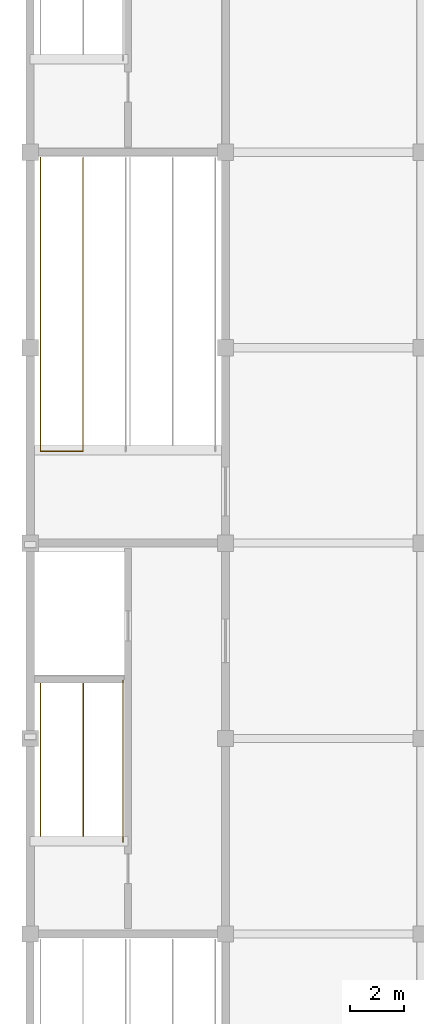
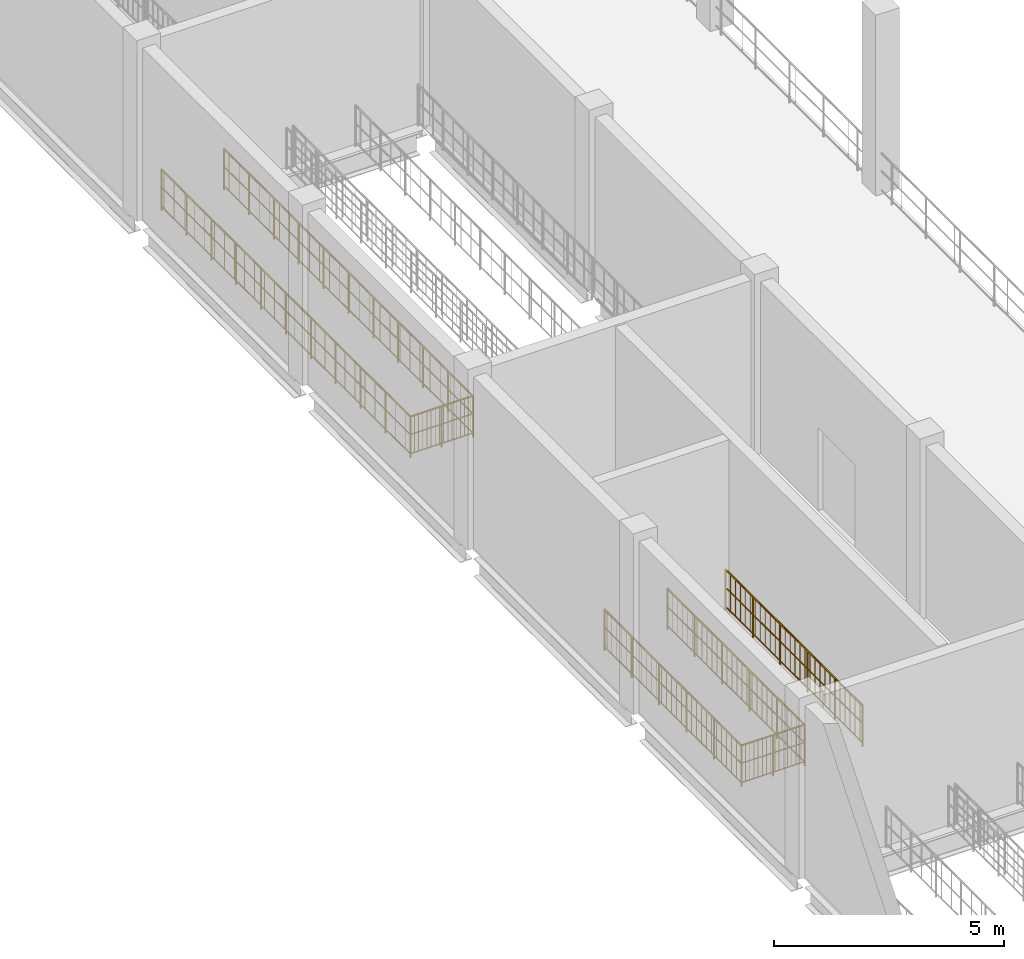
# One storey, part 106 of 120: 3 railings.
"""IFC4 building model written with IfcOpenShell, lengths in metres."""

from ifc_helpers import new_model, si_unit, direction, frame, origin, origin_2d, place, context, subcontext, project, spatial, circle, extrude, material, type_object, element, save


model = new_model("IFC4")

# Units and contexts
model_context = context("Model", 3, precision=1e-05, world=origin(), true_north=direction((0.0, 1.0)))
body_context = subcontext(model_context, "Body", "Model", "MODEL_VIEW")
ifc_project = project(units=[si_unit("LENGTHUNIT", "METRE"), si_unit("AREAUNIT", "SQUARE_METRE"), si_unit("VOLUMEUNIT", "CUBIC_METRE"), si_unit("PLANEANGLEUNIT", "RADIAN"), si_unit("MASSUNIT", "GRAM", prefix="KILO")], contexts=[model_context])

# Site, building, storey
site_placement = place(None, origin())
site = spatial("IfcSite", under=ifc_project, at=site_placement, CompositionType="ELEMENT")
building_placement = place(site_placement, origin())
building = spatial("IfcBuilding", under=site, at=building_placement, Name="Vesperath Aquatics Centre", CompositionType="ELEMENT")
storey_placement = place(building_placement, frame((0.0, 0.0, 10.199951171875)))
storey = spatial("IfcBuildingStorey", under=building, at=storey_placement, Name="L02", CompositionType="ELEMENT", Elevation=10.199951171875)

# Railings
ifc_material = material(Name="Powder-coated galvanized steel safety guard", Category="steel")
railing_type = type_object("IfcRailingType", Name="RL-GRD01", PredefinedType="GUARDRAIL", material=ifc_material)
railing_1_placement = place(storey_placement, frame((0.3798828125, 38.139892578125, 0.0)))
element("IfcRailing", 1, at=railing_1_placement, inside=storey, type_object=railing_type, Name="Stair ST1 Top Well Guard GR02 L02", PredefinedType="GUARDRAIL", context=body_context, shape_type="SweptSolid", body=[
    extrude(circle(Radius=0.02392578125, at=origin_2d()), frame((0.0, 0.0, 1.0859375), z_axis=(0.0, -1.0, 0.0), x_axis=(1.0, 0.0, 0.0)), (0.0, 0.0, 1.0), 5.9599609375),
    extrude(circle(Radius=0.01611328125, at=origin_2d()), frame((0.0, 0.0, 0.10009765625), z_axis=(0.0, -1.0, 0.0), x_axis=(1.0, 0.0, 0.0)), (0.0, 0.0, 1.0), 5.9599609375),
    extrude(circle(Radius=0.01611328125, at=origin_2d()), frame((0.0, 0.0, 0.610595703125), z_axis=(0.0, -1.0, 0.0), x_axis=(1.0, 0.0, 0.0)), (0.0, 0.0, 1.0), 5.9599609375),
    extrude(circle(Radius=0.009033203125, at=origin_2d()), frame((0.0, -0.1083984375, 0.10009765625)), (0.0, 0.0, 1.0), 0.9619140625),
    extrude(circle(Radius=0.009033203125, at=origin_2d()), frame((0.0, -0.3251953125, 0.10009765625)), (0.0, 0.0, 1.0), 0.9619140625),
    extrude(circle(Radius=0.009033203125, at=origin_2d()), frame((0.0, -0.541748046875, 0.10009765625)), (0.0, 0.0, 1.0), 0.9619140625),
    extrude(circle(Radius=0.009033203125, at=origin_2d()), frame((0.0, -0.758544921875, 0.10009765625)), (0.0, 0.0, 1.0), 0.9619140625),
    extrude(circle(Radius=0.009033203125, at=origin_2d()), frame((0.0, -0.975341796875, 0.10009765625)), (0.0, 0.0, 1.0), 0.9619140625),
    extrude(circle(Radius=0.009033203125, at=origin_2d()), frame((0.0, -1.19189453125, 0.10009765625)), (0.0, 0.0, 1.0), 0.9619140625),
    extrude(circle(Radius=0.009033203125, at=origin_2d()), frame((0.0, -1.40869140625, 0.10009765625)), (0.0, 0.0, 1.0), 0.9619140625),
    extrude(circle(Radius=0.009033203125, at=origin_2d()), frame((0.0, -1.62548828125, 0.10009765625)), (0.0, 0.0, 1.0), 0.9619140625),
    extrude(circle(Radius=0.009033203125, at=origin_2d()), frame((0.0, -1.84228515625, 0.10009765625)), (0.0, 0.0, 1.0), 0.9619140625),
    extrude(circle(Radius=0.009033203125, at=origin_2d()), frame((0.0, -2.058837890625, 0.10009765625)), (0.0, 0.0, 1.0), 0.9619140625),
    extrude(circle(Radius=0.009033203125, at=origin_2d()), frame((0.0, -2.275634765625, 0.10009765625)), (0.0, 0.0, 1.0), 0.9619140625),
    extrude(circle(Radius=0.009033203125, at=origin_2d()), frame((0.0, -2.492431640625, 0.10009765625)), (0.0, 0.0, 1.0), 0.9619140625),
    extrude(circle(Radius=0.009033203125, at=origin_2d()), frame((0.0, -2.708984375, 0.10009765625)), (0.0, 0.0, 1.0), 0.9619140625),
    extrude(circle(Radius=0.009033203125, at=origin_2d()), frame((0.0, -2.92578125, 0.10009765625)), (0.0, 0.0, 1.0), 0.9619140625),
    extrude(circle(Radius=0.009033203125, at=origin_2d()), frame((0.0, -3.142578125, 0.10009765625)), (0.0, 0.0, 1.0), 0.9619140625),
    extrude(circle(Radius=0.009033203125, at=origin_2d()), frame((0.0, -3.359130859375, 0.10009765625)), (0.0, 0.0, 1.0), 0.9619140625),
    extrude(circle(Radius=0.009033203125, at=origin_2d()), frame((0.0, -3.575927734375, 0.10009765625)), (0.0, 0.0, 1.0), 0.9619140625),
    extrude(circle(Radius=0.009033203125, at=origin_2d()), frame((0.0, -3.792724609375, 0.10009765625)), (0.0, 0.0, 1.0), 0.9619140625),
    extrude(circle(Radius=0.009033203125, at=origin_2d()), frame((0.0, -4.009521484375, 0.10009765625)), (0.0, 0.0, 1.0), 0.9619140625),
    extrude(circle(Radius=0.009033203125, at=origin_2d()), frame((0.0, -4.22607421875, 0.10009765625)), (0.0, 0.0, 1.0), 0.9619140625),
    extrude(circle(Radius=0.009033203125, at=origin_2d()), frame((0.0, -4.44287109375, 0.10009765625)), (0.0, 0.0, 1.0), 0.9619140625),
    extrude(circle(Radius=0.009033203125, at=origin_2d()), frame((0.0, -4.65966796875, 0.10009765625)), (0.0, 0.0, 1.0), 0.9619140625),
    extrude(circle(Radius=0.009033203125, at=origin_2d()), frame((0.0, -4.876220703125, 0.10009765625)), (0.0, 0.0, 1.0), 0.9619140625),
    extrude(circle(Radius=0.009033203125, at=origin_2d()), frame((0.0, -5.093017578125, 0.10009765625)), (0.0, 0.0, 1.0), 0.9619140625),
    extrude(circle(Radius=0.009033203125, at=origin_2d()), frame((0.0, -5.309814453125, 0.10009765625)), (0.0, 0.0, 1.0), 0.9619140625),
    extrude(circle(Radius=0.009033203125, at=origin_2d()), frame((0.0, -5.526611328125, 0.10009765625)), (0.0, 0.0, 1.0), 0.9619140625),
    extrude(circle(Radius=0.009033203125, at=origin_2d()), frame((0.0, -5.7431640625, 0.10009765625)), (0.0, 0.0, 1.0), 0.9619140625),
    extrude(circle(Radius=0.02392578125, at=origin_2d()), frame((0.0, -5.9599609375, 1.0859375), z_axis=(1.0, 0.0, 0.0), x_axis=(0.0, 1.0, 0.0)), (0.0, 0.0, 1.0), 1.580078125),
    extrude(circle(Radius=0.01611328125, at=origin_2d()), frame((0.0, -5.9599609375, 0.10009765625), z_axis=(1.0, 0.0, 0.0), x_axis=(0.0, 1.0, 0.0)), (0.0, 0.0, 1.0), 1.580078125),
    extrude(circle(Radius=0.01611328125, at=origin_2d()), frame((0.0, -5.9599609375, 0.610595703125), z_axis=(1.0, 0.0, 0.0), x_axis=(0.0, 1.0, 0.0)), (0.0, 0.0, 1.0), 1.580078125),
    extrude(circle(Radius=0.009033203125, at=origin_2d()), frame((0.105224609375, -5.9599609375, 0.10009765625)), (0.0, 0.0, 1.0), 0.9619140625),
    extrude(circle(Radius=0.009033203125, at=origin_2d()), frame((0.210693359375, -5.9599609375, 0.10009765625)), (0.0, 0.0, 1.0), 0.9619140625),
    extrude(circle(Radius=0.009033203125, at=origin_2d()), frame((0.31591796875, -5.9599609375, 0.10009765625)), (0.0, 0.0, 1.0), 0.9619140625),
    extrude(circle(Radius=0.009033203125, at=origin_2d()), frame((0.42138671875, -5.9599609375, 0.10009765625)), (0.0, 0.0, 1.0), 0.9619140625),
    extrude(circle(Radius=0.009033203125, at=origin_2d()), frame((0.526611328125, -5.9599609375, 0.10009765625)), (0.0, 0.0, 1.0), 0.9619140625),
    extrude(circle(Radius=0.009033203125, at=origin_2d()), frame((0.632080078125, -5.9599609375, 0.10009765625)), (0.0, 0.0, 1.0), 0.9619140625),
    extrude(circle(Radius=0.009033203125, at=origin_2d()), frame((0.7373046875, -5.9599609375, 0.10009765625)), (0.0, 0.0, 1.0), 0.9619140625),
    extrude(circle(Radius=0.009033203125, at=origin_2d()), frame((0.8427734375, -5.9599609375, 0.10009765625)), (0.0, 0.0, 1.0), 0.9619140625),
    extrude(circle(Radius=0.009033203125, at=origin_2d()), frame((0.947998046875, -5.9599609375, 0.10009765625)), (0.0, 0.0, 1.0), 0.9619140625),
    extrude(circle(Radius=0.009033203125, at=origin_2d()), frame((1.053466796875, -5.9599609375, 0.10009765625)), (0.0, 0.0, 1.0), 0.9619140625),
    extrude(circle(Radius=0.009033203125, at=origin_2d()), frame((1.15869140625, -5.9599609375, 0.10009765625)), (0.0, 0.0, 1.0), 0.9619140625),
    extrude(circle(Radius=0.009033203125, at=origin_2d()), frame((1.26416015625, -5.9599609375, 0.10009765625)), (0.0, 0.0, 1.0), 0.9619140625),
    extrude(circle(Radius=0.009033203125, at=origin_2d()), frame((1.369384765625, -5.9599609375, 0.10009765625)), (0.0, 0.0, 1.0), 0.9619140625),
    extrude(circle(Radius=0.009033203125, at=origin_2d()), frame((1.474853515625, -5.9599609375, 0.10009765625)), (0.0, 0.0, 1.0), 0.9619140625),
    extrude(circle(Radius=0.02392578125, at=origin_2d()), frame((1.580078125, -5.9599609375, 1.0859375), z_axis=(0.0, 1.0, 0.0), x_axis=(-1.0, 0.0, 0.0)), (0.0, 0.0, 1.0), 5.9599609375),
    extrude(circle(Radius=0.01611328125, at=origin_2d()), frame((1.580078125, -5.9599609375, 0.10009765625), z_axis=(0.0, 1.0, 0.0), x_axis=(-1.0, 0.0, 0.0)), (0.0, 0.0, 1.0), 5.9599609375),
    extrude(circle(Radius=0.01611328125, at=origin_2d()), frame((1.580078125, -5.9599609375, 0.610595703125), z_axis=(0.0, 1.0, 0.0), x_axis=(-1.0, 0.0, 0.0)), (0.0, 0.0, 1.0), 5.9599609375),
    extrude(circle(Radius=0.009033203125, at=origin_2d()), frame((1.580078125, -5.8515625, 0.10009765625)), (0.0, 0.0, 1.0), 0.9619140625),
    extrude(circle(Radius=0.009033203125, at=origin_2d()), frame((1.580078125, -5.634765625, 0.10009765625)), (0.0, 0.0, 1.0), 0.9619140625),
    extrude(circle(Radius=0.009033203125, at=origin_2d()), frame((1.580078125, -5.418212890625, 0.10009765625)), (0.0, 0.0, 1.0), 0.9619140625),
    extrude(circle(Radius=0.009033203125, at=origin_2d()), frame((1.580078125, -5.201416015625, 0.10009765625)), (0.0, 0.0, 1.0), 0.9619140625),
    extrude(circle(Radius=0.009033203125, at=origin_2d()), frame((1.580078125, -4.984619140625, 0.10009765625)), (0.0, 0.0, 1.0), 0.9619140625),
    extrude(circle(Radius=0.009033203125, at=origin_2d()), frame((1.580078125, -4.76806640625, 0.10009765625)), (0.0, 0.0, 1.0), 0.9619140625),
    extrude(circle(Radius=0.009033203125, at=origin_2d()), frame((1.580078125, -4.55126953125, 0.10009765625)), (0.0, 0.0, 1.0), 0.9619140625),
    extrude(circle(Radius=0.009033203125, at=origin_2d()), frame((1.580078125, -4.33447265625, 0.10009765625)), (0.0, 0.0, 1.0), 0.9619140625),
    extrude(circle(Radius=0.009033203125, at=origin_2d()), frame((1.580078125, -4.11767578125, 0.10009765625)), (0.0, 0.0, 1.0), 0.9619140625),
    extrude(circle(Radius=0.009033203125, at=origin_2d()), frame((1.580078125, -3.901123046875, 0.10009765625)), (0.0, 0.0, 1.0), 0.9619140625),
    extrude(circle(Radius=0.009033203125, at=origin_2d()), frame((1.580078125, -3.684326171875, 0.10009765625)), (0.0, 0.0, 1.0), 0.9619140625),
    extrude(circle(Radius=0.009033203125, at=origin_2d()), frame((1.580078125, -3.467529296875, 0.10009765625)), (0.0, 0.0, 1.0), 0.9619140625),
    extrude(circle(Radius=0.009033203125, at=origin_2d()), frame((1.580078125, -3.2509765625, 0.10009765625)), (0.0, 0.0, 1.0), 0.9619140625),
    extrude(circle(Radius=0.009033203125, at=origin_2d()), frame((1.580078125, -3.0341796875, 0.10009765625)), (0.0, 0.0, 1.0), 0.9619140625),
    extrude(circle(Radius=0.009033203125, at=origin_2d()), frame((1.580078125, -2.8173828125, 0.10009765625)), (0.0, 0.0, 1.0), 0.9619140625),
    extrude(circle(Radius=0.009033203125, at=origin_2d()), frame((1.580078125, -2.600830078125, 0.10009765625)), (0.0, 0.0, 1.0), 0.9619140625),
    extrude(circle(Radius=0.009033203125, at=origin_2d()), frame((1.580078125, -2.384033203125, 0.10009765625)), (0.0, 0.0, 1.0), 0.9619140625),
    extrude(circle(Radius=0.009033203125, at=origin_2d()), frame((1.580078125, -2.167236328125, 0.10009765625)), (0.0, 0.0, 1.0), 0.9619140625),
    extrude(circle(Radius=0.009033203125, at=origin_2d()), frame((1.580078125, -1.950439453125, 0.10009765625)), (0.0, 0.0, 1.0), 0.9619140625),
    extrude(circle(Radius=0.009033203125, at=origin_2d()), frame((1.580078125, -1.73388671875, 0.10009765625)), (0.0, 0.0, 1.0), 0.9619140625),
    extrude(circle(Radius=0.009033203125, at=origin_2d()), frame((1.580078125, -1.51708984375, 0.10009765625)), (0.0, 0.0, 1.0), 0.9619140625),
    extrude(circle(Radius=0.009033203125, at=origin_2d()), frame((1.580078125, -1.30029296875, 0.10009765625)), (0.0, 0.0, 1.0), 0.9619140625),
    extrude(circle(Radius=0.009033203125, at=origin_2d()), frame((1.580078125, -1.083740234375, 0.10009765625)), (0.0, 0.0, 1.0), 0.9619140625),
    extrude(circle(Radius=0.009033203125, at=origin_2d()), frame((1.580078125, -0.866943359375, 0.10009765625)), (0.0, 0.0, 1.0), 0.9619140625),
    extrude(circle(Radius=0.009033203125, at=origin_2d()), frame((1.580078125, -0.650146484375, 0.10009765625)), (0.0, 0.0, 1.0), 0.9619140625),
    extrude(circle(Radius=0.009033203125, at=origin_2d()), frame((1.580078125, -0.433349609375, 0.10009765625)), (0.0, 0.0, 1.0), 0.9619140625),
    extrude(circle(Radius=0.009033203125, at=origin_2d()), frame((1.580078125, -0.216796875, 0.10009765625)), (0.0, 0.0, 1.0), 0.9619140625),
    extrude(circle(Radius=0.02197265625, at=origin_2d()), origin(), (0.0, 0.0, 1.0), 1.0859375),
    extrude(circle(Radius=0.02197265625, at=origin_2d()), frame((0.0, -1.19189453125, 0.0)), (0.0, 0.0, 1.0), 1.0859375),
    extrude(circle(Radius=0.02197265625, at=origin_2d()), frame((0.0, -2.384033203125, 0.0)), (0.0, 0.0, 1.0), 1.0859375),
    extrude(circle(Radius=0.02197265625, at=origin_2d()), frame((0.0, -3.575927734375, 0.0)), (0.0, 0.0, 1.0), 1.0859375),
    extrude(circle(Radius=0.02197265625, at=origin_2d()), frame((0.0, -4.76806640625, 0.0)), (0.0, 0.0, 1.0), 1.0859375),
    extrude(circle(Radius=0.02197265625, at=origin_2d()), frame((0.0, -5.9599609375, 0.0)), (0.0, 0.0, 1.0), 1.0859375),
    extrude(circle(Radius=0.02197265625, at=origin_2d()), frame((0.7900390625, -5.9599609375, 0.0)), (0.0, 0.0, 1.0), 1.0859375),
    extrude(circle(Radius=0.02197265625, at=origin_2d()), frame((1.580078125, -5.9599609375, 0.0)), (0.0, 0.0, 1.0), 1.0859375),
    extrude(circle(Radius=0.02197265625, at=origin_2d()), frame((1.580078125, -4.76806640625, 0.0)), (0.0, 0.0, 1.0), 1.0859375),
    extrude(circle(Radius=0.02197265625, at=origin_2d()), frame((1.580078125, -3.575927734375, 0.0)), (0.0, 0.0, 1.0), 1.0859375),
    extrude(circle(Radius=0.02197265625, at=origin_2d()), frame((1.580078125, -2.384033203125, 0.0)), (0.0, 0.0, 1.0), 1.0859375),
    extrude(circle(Radius=0.02197265625, at=origin_2d()), frame((1.580078125, -1.19189453125, 0.0)), (0.0, 0.0, 1.0), 1.0859375),
    extrude(circle(Radius=0.02197265625, at=origin_2d()), frame((1.580078125, 0.0, 0.0)), (0.0, 0.0, 1.0), 1.0859375),
])
railing_2_placement = place(storey_placement, frame((3.419921875, 32.179931640625, 0.0)))
element("IfcRailing", 2, at=railing_2_placement, inside=storey, type_object=railing_type, Name="Stair ST1 Top Side Guard GR02 L02", PredefinedType="GUARDRAIL", context=body_context, shape_type="SweptSolid", body=[
    extrude(circle(Radius=0.02392578125, at=origin_2d()), frame((0.0, 0.0, 1.0859375), z_axis=(0.0, 1.0, 0.0), x_axis=(-1.0, 0.0, 0.0)), (0.0, 0.0, 1.0), 5.9599609375),
    extrude(circle(Radius=0.01611328125, at=origin_2d()), frame((0.0, 0.0, 0.10009765625), z_axis=(0.0, 1.0, 0.0), x_axis=(-1.0, 0.0, 0.0)), (0.0, 0.0, 1.0), 5.9599609375),
    extrude(circle(Radius=0.01611328125, at=origin_2d()), frame((0.0, 0.0, 0.610595703125), z_axis=(0.0, 1.0, 0.0), x_axis=(-1.0, 0.0, 0.0)), (0.0, 0.0, 1.0), 5.9599609375),
    extrude(circle(Radius=0.009033203125, at=origin_2d()), frame((0.0, 0.1083984375, 0.10009765625)), (0.0, 0.0, 1.0), 0.9619140625),
    extrude(circle(Radius=0.009033203125, at=origin_2d()), frame((0.0, 0.3251953125, 0.10009765625)), (0.0, 0.0, 1.0), 0.9619140625),
    extrude(circle(Radius=0.009033203125, at=origin_2d()), frame((0.0, 0.541748046875, 0.10009765625)), (0.0, 0.0, 1.0), 0.9619140625),
    extrude(circle(Radius=0.009033203125, at=origin_2d()), frame((0.0, 0.758544921875, 0.10009765625)), (0.0, 0.0, 1.0), 0.9619140625),
    extrude(circle(Radius=0.009033203125, at=origin_2d()), frame((0.0, 0.975341796875, 0.10009765625)), (0.0, 0.0, 1.0), 0.9619140625),
    extrude(circle(Radius=0.009033203125, at=origin_2d()), frame((0.0, 1.19189453125, 0.10009765625)), (0.0, 0.0, 1.0), 0.9619140625),
    extrude(circle(Radius=0.009033203125, at=origin_2d()), frame((0.0, 1.40869140625, 0.10009765625)), (0.0, 0.0, 1.0), 0.9619140625),
    extrude(circle(Radius=0.009033203125, at=origin_2d()), frame((0.0, 1.62548828125, 0.10009765625)), (0.0, 0.0, 1.0), 0.9619140625),
    extrude(circle(Radius=0.009033203125, at=origin_2d()), frame((0.0, 1.84228515625, 0.10009765625)), (0.0, 0.0, 1.0), 0.9619140625),
    extrude(circle(Radius=0.009033203125, at=origin_2d()), frame((0.0, 2.058837890625, 0.10009765625)), (0.0, 0.0, 1.0), 0.9619140625),
    extrude(circle(Radius=0.009033203125, at=origin_2d()), frame((0.0, 2.275634765625, 0.10009765625)), (0.0, 0.0, 1.0), 0.9619140625),
    extrude(circle(Radius=0.009033203125, at=origin_2d()), frame((0.0, 2.492431640625, 0.10009765625)), (0.0, 0.0, 1.0), 0.9619140625),
    extrude(circle(Radius=0.009033203125, at=origin_2d()), frame((0.0, 2.708984375, 0.10009765625)), (0.0, 0.0, 1.0), 0.9619140625),
    extrude(circle(Radius=0.009033203125, at=origin_2d()), frame((0.0, 2.92578125, 0.10009765625)), (0.0, 0.0, 1.0), 0.9619140625),
    extrude(circle(Radius=0.009033203125, at=origin_2d()), frame((0.0, 3.142578125, 0.10009765625)), (0.0, 0.0, 1.0), 0.9619140625),
    extrude(circle(Radius=0.009033203125, at=origin_2d()), frame((0.0, 3.359130859375, 0.10009765625)), (0.0, 0.0, 1.0), 0.9619140625),
    extrude(circle(Radius=0.009033203125, at=origin_2d()), frame((0.0, 3.575927734375, 0.10009765625)), (0.0, 0.0, 1.0), 0.9619140625),
    extrude(circle(Radius=0.009033203125, at=origin_2d()), frame((0.0, 3.792724609375, 0.10009765625)), (0.0, 0.0, 1.0), 0.9619140625),
    extrude(circle(Radius=0.009033203125, at=origin_2d()), frame((0.0, 4.009521484375, 0.10009765625)), (0.0, 0.0, 1.0), 0.9619140625),
    extrude(circle(Radius=0.009033203125, at=origin_2d()), frame((0.0, 4.22607421875, 0.10009765625)), (0.0, 0.0, 1.0), 0.9619140625),
    extrude(circle(Radius=0.009033203125, at=origin_2d()), frame((0.0, 4.44287109375, 0.10009765625)), (0.0, 0.0, 1.0), 0.9619140625),
    extrude(circle(Radius=0.009033203125, at=origin_2d()), frame((0.0, 4.65966796875, 0.10009765625)), (0.0, 0.0, 1.0), 0.9619140625),
    extrude(circle(Radius=0.009033203125, at=origin_2d()), frame((0.0, 4.876220703125, 0.10009765625)), (0.0, 0.0, 1.0), 0.9619140625),
    extrude(circle(Radius=0.009033203125, at=origin_2d()), frame((0.0, 5.093017578125, 0.10009765625)), (0.0, 0.0, 1.0), 0.9619140625),
    extrude(circle(Radius=0.009033203125, at=origin_2d()), frame((0.0, 5.309814453125, 0.10009765625)), (0.0, 0.0, 1.0), 0.9619140625),
    extrude(circle(Radius=0.009033203125, at=origin_2d()), frame((0.0, 5.526611328125, 0.10009765625)), (0.0, 0.0, 1.0), 0.9619140625),
    extrude(circle(Radius=0.009033203125, at=origin_2d()), frame((0.0, 5.7431640625, 0.10009765625)), (0.0, 0.0, 1.0), 0.9619140625),
    extrude(circle(Radius=0.02197265625, at=origin_2d()), origin(), (0.0, 0.0, 1.0), 1.0859375),
    extrude(circle(Radius=0.02197265625, at=origin_2d()), frame((0.0, 1.19189453125, 0.0)), (0.0, 0.0, 1.0), 1.0859375),
    extrude(circle(Radius=0.02197265625, at=origin_2d()), frame((0.0, 2.384033203125, 0.0)), (0.0, 0.0, 1.0), 1.0859375),
    extrude(circle(Radius=0.02197265625, at=origin_2d()), frame((0.0, 3.575927734375, 0.0)), (0.0, 0.0, 1.0), 1.0859375),
    extrude(circle(Radius=0.02197265625, at=origin_2d()), frame((0.0, 4.76806640625, 0.0)), (0.0, 0.0, 1.0), 1.0859375),
    extrude(circle(Radius=0.02197265625, at=origin_2d()), frame((0.0, 5.9599609375, 0.0)), (0.0, 0.0, 1.0), 1.0859375),
])
railing_3_placement = place(storey_placement, frame((0.3798828125, 57.39990234375, 0.0)))
element("IfcRailing", 3, at=railing_3_placement, inside=storey, type_object=railing_type, Name="Stair ST11A Top Well Guard GR02 L02", PredefinedType="GUARDRAIL", context=body_context, shape_type="SweptSolid", body=[
    extrude(circle(Radius=0.02392578125, at=origin_2d()), frame((0.0, 0.0, 1.0859375), z_axis=(0.0, -1.0, 0.0), x_axis=(1.0, 0.0, 0.0)), (0.0, 0.0, 1.0), 10.81982421875),
    extrude(circle(Radius=0.01611328125, at=origin_2d()), frame((0.0, 0.0, 0.10009765625), z_axis=(0.0, -1.0, 0.0), x_axis=(1.0, 0.0, 0.0)), (0.0, 0.0, 1.0), 10.81982421875),
    extrude(circle(Radius=0.01611328125, at=origin_2d()), frame((0.0, 0.0, 0.610595703125), z_axis=(0.0, -1.0, 0.0), x_axis=(1.0, 0.0, 0.0)), (0.0, 0.0, 1.0), 10.81982421875),
    extrude(circle(Radius=0.009033203125, at=origin_2d()), frame((0.0, -0.109375, 0.10009765625)), (0.0, 0.0, 1.0), 0.9619140625),
    extrude(circle(Radius=0.009033203125, at=origin_2d()), frame((0.0, -0.54638671875, 0.10009765625)), (0.0, 0.0, 1.0), 0.9619140625),
    extrude(circle(Radius=0.009033203125, at=origin_2d()), frame((0.0, -0.983642578125, 0.10009765625)), (0.0, 0.0, 1.0), 0.9619140625),
    extrude(circle(Radius=0.009033203125, at=origin_2d()), frame((0.0, -1.4208984375, 0.10009765625)), (0.0, 0.0, 1.0), 0.9619140625),
    extrude(circle(Radius=0.009033203125, at=origin_2d()), frame((0.0, -1.85791015625, 0.10009765625)), (0.0, 0.0, 1.0), 0.9619140625),
    extrude(circle(Radius=0.009033203125, at=origin_2d()), frame((0.0, -2.295166015625, 0.10009765625)), (0.0, 0.0, 1.0), 0.9619140625),
    extrude(circle(Radius=0.009033203125, at=origin_2d()), frame((0.0, -2.732177734375, 0.10009765625)), (0.0, 0.0, 1.0), 0.9619140625),
    extrude(circle(Radius=0.009033203125, at=origin_2d()), frame((0.0, -3.16943359375, 0.10009765625)), (0.0, 0.0, 1.0), 0.9619140625),
    extrude(circle(Radius=0.009033203125, at=origin_2d()), frame((0.0, -3.606689453125, 0.10009765625)), (0.0, 0.0, 1.0), 0.9619140625),
    extrude(circle(Radius=0.009033203125, at=origin_2d()), frame((0.0, -4.043701171875, 0.10009765625)), (0.0, 0.0, 1.0), 0.9619140625),
    extrude(circle(Radius=0.009033203125, at=origin_2d()), frame((0.0, -4.48095703125, 0.10009765625)), (0.0, 0.0, 1.0), 0.9619140625),
    extrude(circle(Radius=0.009033203125, at=origin_2d()), frame((0.0, -4.918212890625, 0.10009765625)), (0.0, 0.0, 1.0), 0.9619140625),
    extrude(circle(Radius=0.009033203125, at=origin_2d()), frame((0.0, -5.355224609375, 0.10009765625)), (0.0, 0.0, 1.0), 0.9619140625),
    extrude(circle(Radius=0.009033203125, at=origin_2d()), frame((0.0, -5.79248046875, 0.10009765625)), (0.0, 0.0, 1.0), 0.9619140625),
    extrude(circle(Radius=0.009033203125, at=origin_2d()), frame((0.0, -6.2294921875, 0.10009765625)), (0.0, 0.0, 1.0), 0.9619140625),
    extrude(circle(Radius=0.009033203125, at=origin_2d()), frame((0.0, -6.666748046875, 0.10009765625)), (0.0, 0.0, 1.0), 0.9619140625),
    extrude(circle(Radius=0.009033203125, at=origin_2d()), frame((0.0, -7.10400390625, 0.10009765625)), (0.0, 0.0, 1.0), 0.9619140625),
    extrude(circle(Radius=0.009033203125, at=origin_2d()), frame((0.0, -7.541015625, 0.10009765625)), (0.0, 0.0, 1.0), 0.9619140625),
    extrude(circle(Radius=0.009033203125, at=origin_2d()), frame((0.0, -7.978271484375, 0.10009765625)), (0.0, 0.0, 1.0), 0.9619140625),
    extrude(circle(Radius=0.009033203125, at=origin_2d()), frame((0.0, -8.41552734375, 0.10009765625)), (0.0, 0.0, 1.0), 0.9619140625),
    extrude(circle(Radius=0.009033203125, at=origin_2d()), frame((0.0, -8.8525390625, 0.10009765625)), (0.0, 0.0, 1.0), 0.9619140625),
    extrude(circle(Radius=0.009033203125, at=origin_2d()), frame((0.0, -9.289794921875, 0.10009765625)), (0.0, 0.0, 1.0), 0.9619140625),
    extrude(circle(Radius=0.009033203125, at=origin_2d()), frame((0.0, -9.726806640625, 0.10009765625)), (0.0, 0.0, 1.0), 0.9619140625),
    extrude(circle(Radius=0.009033203125, at=origin_2d()), frame((0.0, -10.1640625, 0.10009765625)), (0.0, 0.0, 1.0), 0.9619140625),
    extrude(circle(Radius=0.009033203125, at=origin_2d()), frame((0.0, -10.601318359375, 0.10009765625)), (0.0, 0.0, 1.0), 0.9619140625),
    extrude(circle(Radius=0.02392578125, at=origin_2d()), frame((0.0, -10.81982421875, 1.0859375), z_axis=(1.0, 0.0, 0.0), x_axis=(0.0, 1.0, 0.0)), (0.0, 0.0, 1.0), 1.570068359375),
    extrude(circle(Radius=0.01611328125, at=origin_2d()), frame((0.0, -10.81982421875, 0.10009765625), z_axis=(1.0, 0.0, 0.0), x_axis=(0.0, 1.0, 0.0)), (0.0, 0.0, 1.0), 1.570068359375),
    extrude(circle(Radius=0.01611328125, at=origin_2d()), frame((0.0, -10.81982421875, 0.610595703125), z_axis=(1.0, 0.0, 0.0), x_axis=(0.0, 1.0, 0.0)), (0.0, 0.0, 1.0), 1.570068359375),
    extrude(circle(Radius=0.009033203125, at=origin_2d()), frame((0.104736328125, -10.81982421875, 0.10009765625)), (0.0, 0.0, 1.0), 0.9619140625),
    extrude(circle(Radius=0.009033203125, at=origin_2d()), frame((0.209228515625, -10.81982421875, 0.10009765625)), (0.0, 0.0, 1.0), 0.9619140625),
    extrude(circle(Radius=0.009033203125, at=origin_2d()), frame((0.31396484375, -10.81982421875, 0.10009765625)), (0.0, 0.0, 1.0), 0.9619140625),
    extrude(circle(Radius=0.009033203125, at=origin_2d()), frame((0.418701171875, -10.81982421875, 0.10009765625)), (0.0, 0.0, 1.0), 0.9619140625),
    extrude(circle(Radius=0.009033203125, at=origin_2d()), frame((0.5234375, -10.81982421875, 0.10009765625)), (0.0, 0.0, 1.0), 0.9619140625),
    extrude(circle(Radius=0.009033203125, at=origin_2d()), frame((0.6279296875, -10.81982421875, 0.10009765625)), (0.0, 0.0, 1.0), 0.9619140625),
    extrude(circle(Radius=0.009033203125, at=origin_2d()), frame((0.732666015625, -10.81982421875, 0.10009765625)), (0.0, 0.0, 1.0), 0.9619140625),
    extrude(circle(Radius=0.009033203125, at=origin_2d()), frame((0.83740234375, -10.81982421875, 0.10009765625)), (0.0, 0.0, 1.0), 0.9619140625),
    extrude(circle(Radius=0.009033203125, at=origin_2d()), frame((0.942138671875, -10.81982421875, 0.10009765625)), (0.0, 0.0, 1.0), 0.9619140625),
    extrude(circle(Radius=0.009033203125, at=origin_2d()), frame((1.046630859375, -10.81982421875, 0.10009765625)), (0.0, 0.0, 1.0), 0.9619140625),
    extrude(circle(Radius=0.009033203125, at=origin_2d()), frame((1.1513671875, -10.81982421875, 0.10009765625)), (0.0, 0.0, 1.0), 0.9619140625),
    extrude(circle(Radius=0.009033203125, at=origin_2d()), frame((1.256103515625, -10.81982421875, 0.10009765625)), (0.0, 0.0, 1.0), 0.9619140625),
    extrude(circle(Radius=0.009033203125, at=origin_2d()), frame((1.36083984375, -10.81982421875, 0.10009765625)), (0.0, 0.0, 1.0), 0.9619140625),
    extrude(circle(Radius=0.009033203125, at=origin_2d()), frame((1.46533203125, -10.81982421875, 0.10009765625)), (0.0, 0.0, 1.0), 0.9619140625),
    extrude(circle(Radius=0.02392578125, at=origin_2d()), frame((1.570068359375, -10.81982421875, 1.0859375), z_axis=(0.0, 1.0, 0.0), x_axis=(-1.0, 0.0, 0.0)), (0.0, 0.0, 1.0), 10.81982421875),
    extrude(circle(Radius=0.01611328125, at=origin_2d()), frame((1.570068359375, -10.81982421875, 0.10009765625), z_axis=(0.0, 1.0, 0.0), x_axis=(-1.0, 0.0, 0.0)), (0.0, 0.0, 1.0), 10.81982421875),
    extrude(circle(Radius=0.01611328125, at=origin_2d()), frame((1.570068359375, -10.81982421875, 0.610595703125), z_axis=(0.0, 1.0, 0.0), x_axis=(-1.0, 0.0, 0.0)), (0.0, 0.0, 1.0), 10.81982421875),
    extrude(circle(Radius=0.009033203125, at=origin_2d()), frame((1.570068359375, -10.71044921875, 0.10009765625)), (0.0, 0.0, 1.0), 0.9619140625),
    extrude(circle(Radius=0.009033203125, at=origin_2d()), frame((1.570068359375, -10.2734375, 0.10009765625)), (0.0, 0.0, 1.0), 0.9619140625),
    extrude(circle(Radius=0.009033203125, at=origin_2d()), frame((1.570068359375, -9.836181640625, 0.10009765625)), (0.0, 0.0, 1.0), 0.9619140625),
    extrude(circle(Radius=0.009033203125, at=origin_2d()), frame((1.570068359375, -9.39892578125, 0.10009765625)), (0.0, 0.0, 1.0), 0.9619140625),
    extrude(circle(Radius=0.009033203125, at=origin_2d()), frame((1.570068359375, -8.9619140625, 0.10009765625)), (0.0, 0.0, 1.0), 0.9619140625),
    extrude(circle(Radius=0.009033203125, at=origin_2d()), frame((1.570068359375, -8.524658203125, 0.10009765625)), (0.0, 0.0, 1.0), 0.9619140625),
    extrude(circle(Radius=0.009033203125, at=origin_2d()), frame((1.570068359375, -8.087646484375, 0.10009765625)), (0.0, 0.0, 1.0), 0.9619140625),
    extrude(circle(Radius=0.009033203125, at=origin_2d()), frame((1.570068359375, -7.650390625, 0.10009765625)), (0.0, 0.0, 1.0), 0.9619140625),
    extrude(circle(Radius=0.009033203125, at=origin_2d()), frame((1.570068359375, -7.213134765625, 0.10009765625)), (0.0, 0.0, 1.0), 0.9619140625),
    extrude(circle(Radius=0.009033203125, at=origin_2d()), frame((1.570068359375, -6.776123046875, 0.10009765625)), (0.0, 0.0, 1.0), 0.9619140625),
    extrude(circle(Radius=0.009033203125, at=origin_2d()), frame((1.570068359375, -6.3388671875, 0.10009765625)), (0.0, 0.0, 1.0), 0.9619140625),
    extrude(circle(Radius=0.009033203125, at=origin_2d()), frame((1.570068359375, -5.901611328125, 0.10009765625)), (0.0, 0.0, 1.0), 0.9619140625),
    extrude(circle(Radius=0.009033203125, at=origin_2d()), frame((1.570068359375, -5.464599609375, 0.10009765625)), (0.0, 0.0, 1.0), 0.9619140625),
    extrude(circle(Radius=0.009033203125, at=origin_2d()), frame((1.570068359375, -5.02734375, 0.10009765625)), (0.0, 0.0, 1.0), 0.9619140625),
    extrude(circle(Radius=0.009033203125, at=origin_2d()), frame((1.570068359375, -4.59033203125, 0.10009765625)), (0.0, 0.0, 1.0), 0.9619140625),
    extrude(circle(Radius=0.009033203125, at=origin_2d()), frame((1.570068359375, -4.153076171875, 0.10009765625)), (0.0, 0.0, 1.0), 0.9619140625),
    extrude(circle(Radius=0.009033203125, at=origin_2d()), frame((1.570068359375, -3.7158203125, 0.10009765625)), (0.0, 0.0, 1.0), 0.9619140625),
    extrude(circle(Radius=0.009033203125, at=origin_2d()), frame((1.570068359375, -3.27880859375, 0.10009765625)), (0.0, 0.0, 1.0), 0.9619140625),
    extrude(circle(Radius=0.009033203125, at=origin_2d()), frame((1.570068359375, -2.841552734375, 0.10009765625)), (0.0, 0.0, 1.0), 0.9619140625),
    extrude(circle(Radius=0.009033203125, at=origin_2d()), frame((1.570068359375, -2.404296875, 0.10009765625)), (0.0, 0.0, 1.0), 0.9619140625),
    extrude(circle(Radius=0.009033203125, at=origin_2d()), frame((1.570068359375, -1.96728515625, 0.10009765625)), (0.0, 0.0, 1.0), 0.9619140625),
    extrude(circle(Radius=0.009033203125, at=origin_2d()), frame((1.570068359375, -1.530029296875, 0.10009765625)), (0.0, 0.0, 1.0), 0.9619140625),
    extrude(circle(Radius=0.009033203125, at=origin_2d()), frame((1.570068359375, -1.093017578125, 0.10009765625)), (0.0, 0.0, 1.0), 0.9619140625),
    extrude(circle(Radius=0.009033203125, at=origin_2d()), frame((1.570068359375, -0.65576171875, 0.10009765625)), (0.0, 0.0, 1.0), 0.9619140625),
    extrude(circle(Radius=0.009033203125, at=origin_2d()), frame((1.570068359375, -0.218505859375, 0.10009765625)), (0.0, 0.0, 1.0), 0.9619140625),
    extrude(circle(Radius=0.02197265625, at=origin_2d()), origin(), (0.0, 0.0, 1.0), 1.0859375),
    extrude(circle(Radius=0.02197265625, at=origin_2d()), frame((0.0, -1.08203125, 0.0)), (0.0, 0.0, 1.0), 1.0859375),
    extrude(circle(Radius=0.02197265625, at=origin_2d()), frame((0.0, -2.1640625, 0.0)), (0.0, 0.0, 1.0), 1.0859375),
    extrude(circle(Radius=0.02197265625, at=origin_2d()), frame((0.0, -3.245849609375, 0.0)), (0.0, 0.0, 1.0), 1.0859375),
    extrude(circle(Radius=0.02197265625, at=origin_2d()), frame((0.0, -4.327880859375, 0.0)), (0.0, 0.0, 1.0), 1.0859375),
    extrude(circle(Radius=0.02197265625, at=origin_2d()), frame((0.0, -5.409912109375, 0.0)), (0.0, 0.0, 1.0), 1.0859375),
    extrude(circle(Radius=0.02197265625, at=origin_2d()), frame((0.0, -6.491943359375, 0.0)), (0.0, 0.0, 1.0), 1.0859375),
    extrude(circle(Radius=0.02197265625, at=origin_2d()), frame((0.0, -7.573974609375, 0.0)), (0.0, 0.0, 1.0), 1.0859375),
    extrude(circle(Radius=0.02197265625, at=origin_2d()), frame((0.0, -8.65576171875, 0.0)), (0.0, 0.0, 1.0), 1.0859375),
    extrude(circle(Radius=0.02197265625, at=origin_2d()), frame((0.0, -9.73779296875, 0.0)), (0.0, 0.0, 1.0), 1.0859375),
    extrude(circle(Radius=0.02197265625, at=origin_2d()), frame((0.0, -10.81982421875, 0.0)), (0.0, 0.0, 1.0), 1.0859375),
    extrude(circle(Radius=0.02197265625, at=origin_2d()), frame((0.78515625, -10.81982421875, 0.0)), (0.0, 0.0, 1.0), 1.0859375),
    extrude(circle(Radius=0.02197265625, at=origin_2d()), frame((1.570068359375, -10.81982421875, 0.0)), (0.0, 0.0, 1.0), 1.0859375),
    extrude(circle(Radius=0.02197265625, at=origin_2d()), frame((1.570068359375, -9.73779296875, 0.0)), (0.0, 0.0, 1.0), 1.0859375),
    extrude(circle(Radius=0.02197265625, at=origin_2d()), frame((1.570068359375, -8.65576171875, 0.0)), (0.0, 0.0, 1.0), 1.0859375),
    extrude(circle(Radius=0.02197265625, at=origin_2d()), frame((1.570068359375, -7.573974609375, 0.0)), (0.0, 0.0, 1.0), 1.0859375),
    extrude(circle(Radius=0.02197265625, at=origin_2d()), frame((1.570068359375, -6.491943359375, 0.0)), (0.0, 0.0, 1.0), 1.0859375),
    extrude(circle(Radius=0.02197265625, at=origin_2d()), frame((1.570068359375, -5.409912109375, 0.0)), (0.0, 0.0, 1.0), 1.0859375),
    extrude(circle(Radius=0.02197265625, at=origin_2d()), frame((1.570068359375, -4.327880859375, 0.0)), (0.0, 0.0, 1.0), 1.0859375),
    extrude(circle(Radius=0.02197265625, at=origin_2d()), frame((1.570068359375, -3.245849609375, 0.0)), (0.0, 0.0, 1.0), 1.0859375),
    extrude(circle(Radius=0.02197265625, at=origin_2d()), frame((1.570068359375, -2.1640625, 0.0)), (0.0, 0.0, 1.0), 1.0859375),
    extrude(circle(Radius=0.02197265625, at=origin_2d()), frame((1.570068359375, -1.08203125, 0.0)), (0.0, 0.0, 1.0), 1.0859375),
    extrude(circle(Radius=0.02197265625, at=origin_2d()), frame((1.570068359375, 0.0, 0.0)), (0.0, 0.0, 1.0), 1.0859375),
])

save(model, "model.ifc")
